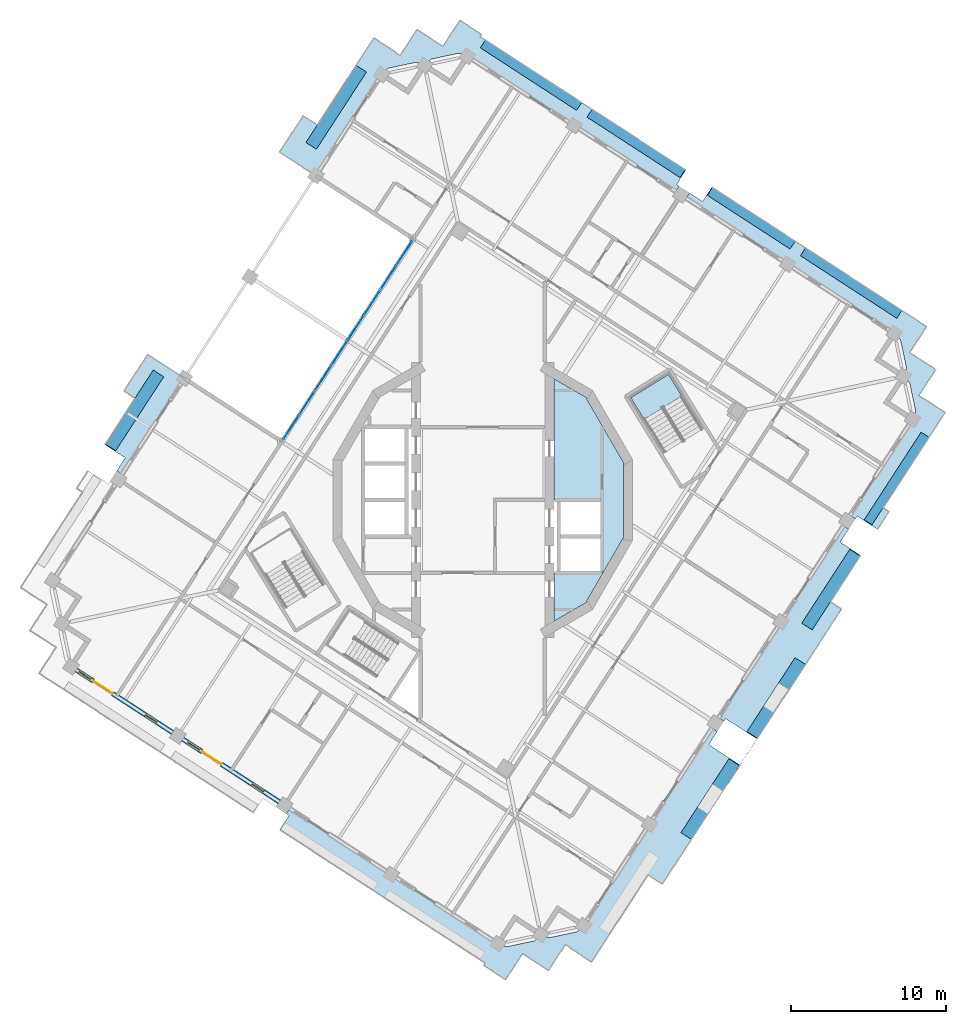
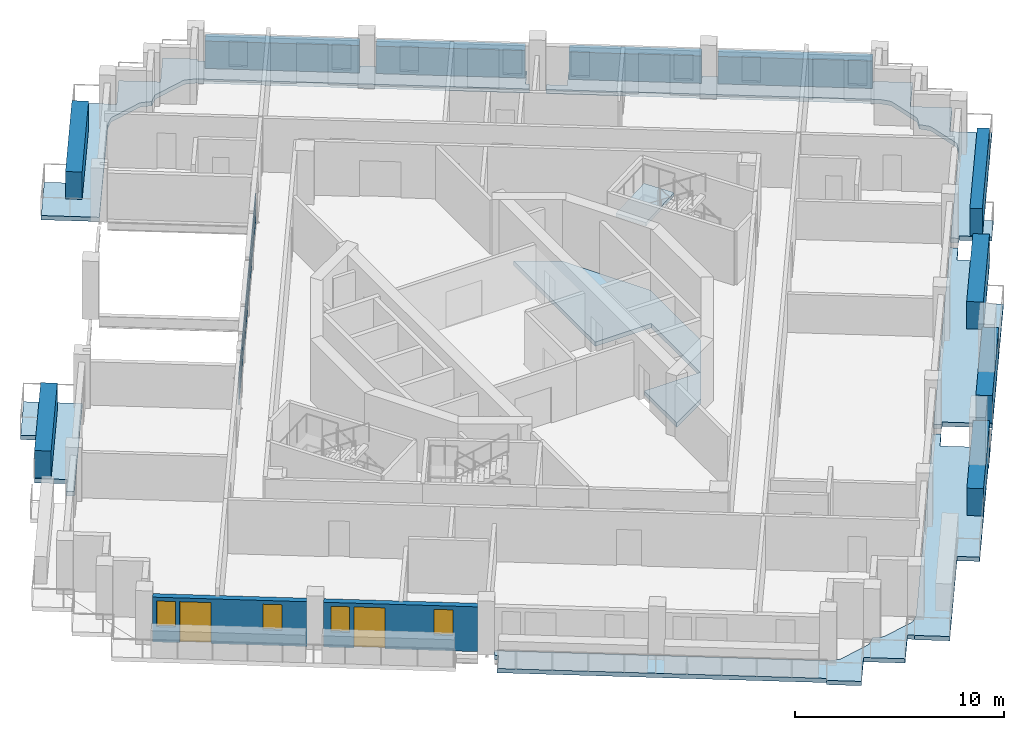
# One storey, part 4 of 17: 26 plates, 6 slabs, 4 windows, 2 doors, 2 walls, 6 openings, 2 elements without a shape of their own.
"""IFC4 building model written with IfcOpenShell, lengths in metres."""

from ifc_helpers import new_model, si_unit, direction, frame, frame_2d, origin, origin_2d, place, context, subcontext, project, spatial, polyline, rectangle, outline, extrude, material, layer, layer_set, type_object, element, fill, aggregate, save


model = new_model("IFC4")

# Units and contexts
model_context = context("Model", 3, precision=1e-05, world=origin(), true_north=direction((0.0, 1.0)))
body_context = subcontext(model_context, "Body", "Model", "MODEL_VIEW")
ifc_project = project(units=[si_unit("LENGTHUNIT", "METRE"), si_unit("AREAUNIT", "SQUARE_METRE"), si_unit("VOLUMEUNIT", "CUBIC_METRE"), si_unit("PLANEANGLEUNIT", "RADIAN"), si_unit("MASSUNIT", "GRAM", prefix="KILO")], contexts=[model_context])

# Site, building, storey
site_placement = place(None, origin())
site = spatial("IfcSite", under=ifc_project, at=site_placement, CompositionType="ELEMENT")
building_placement = place(site_placement, origin())
building = spatial("IfcBuilding", under=site, at=building_placement, Name="Cantera Rosa Tower", CompositionType="ELEMENT")
storey_placement = place(building_placement, frame((0.0, 0.0, 286.5)))
storey = spatial("IfcBuildingStorey", under=building, at=storey_placement, Name="L65", CompositionType="ELEMENT", Elevation=286.5)

# Slab
ifc_material_1 = material(Name="Concrete C35/45", Category="concrete")
ifc_layer_1 = layer(ifc_material_1, 0.25)
ifc_layer_set_1 = layer_set([ifc_layer_1], Name="COMPOSITE FLOOR SLAB 250 C35/45")
slab_type_1 = type_object("IfcSlabType", Name="COMPOSITE FLOOR SLAB 250 C35/45", PredefinedType="FLOOR", material=ifc_layer_set_1)
slab_1_placement = place(storey_placement, frame((0.0, 0.0, -0.25)))
element("IfcSlab", 1, at=slab_1_placement, inside=storey, type_object=slab_type_1, Name="SLAB L65 floor 3", PredefinedType="FLOOR", context=body_context, shape_type="SweptSolid", body=[
    extrude(outline(polyline([(7.699951171875, 0.0), (4.60009765625, 0.0), (4.60009765625, 7.804931640625), (6.6318359375, 6.6318359375), (9.059326171875, 2.427490234375), (9.059326171875, -2.427490234375), (6.6318359375, -6.6318359375), (4.60009765625, -7.804931640625), (4.60009765625, -4.699951171875), (7.699951171875, -4.699951171875), (7.699951171875, -2.35009765625), (7.699951171875, 0.0)])), origin(), (0.0, 0.0, 1.0), 0.25),
])

# Curtain wall, plates
ifc_material_2 = material(Name="Aluminium frame with clear glass", Category="aluminium")
curtain_wall_type = type_object("IfcCurtainWallType", Name="CW1 TERRACE POCKET GLAZING", PredefinedType="NOTDEFINED", material=ifc_material_2)
curtain_wall_placement = place(storey_placement, origin())
curtain_wall = element("IfcCurtainWall", 2, at=curtain_wall_placement, inside=storey, type_object=curtain_wall_type, Name="CW1 CW1", PredefinedType="NOTDEFINED")
ifc_material_3 = material(Name="Aluminium frame with clear glass", Category="aluminium")
ifc_layer_2 = layer(ifc_material_3, 0.028076171875)
ifc_layer_set_2 = layer_set([ifc_layer_2], Name="CW-PANEL POCKET")
plate_type_1 = type_object("IfcPlateType", Name="CW-PANEL POCKET", PredefinedType="CURTAIN_PANEL", material=ifc_layer_set_2)
plate_1_placement = place(storey_placement, frame((-5.060302734375, 15.893310546875, 0.06005859375), z_axis=(0.0, 0.0, 1.0), x_axis=(-0.544639034986, -0.838670567964, 0.0)))
plate_1 = element("IfcPlate", 3, at=plate_1_placement, type_object=plate_type_1, Name="CW1 panel 1.1", PredefinedType="CURTAIN_PANEL", context=body_context, shape_type="SweptSolid", body=[
    extrude(rectangle(XDim=1.82373046875, YDim=0.028076171875, at=origin_2d()), origin(), (0.0, 0.0, 1.0), 0.841064453125),
])
plate_2_placement = place(storey_placement, frame((-5.060302734375, 15.893310546875, 0.9609375), z_axis=(0.0, 0.0, 1.0), x_axis=(-0.544639034986, -0.838670567964, 0.0)))
plate_2 = element("IfcPlate", 4, at=plate_2_placement, type_object=plate_type_1, Name="CW1 panel 1.2", PredefinedType="CURTAIN_PANEL", context=body_context, shape_type="SweptSolid", body=[
    extrude(rectangle(XDim=1.82373046875, YDim=0.028076171875, at=origin_2d()), origin(), (0.0, 0.0, 1.0), 0.841064453125),
])
plate_3_placement = place(storey_placement, frame((-6.094482421875, 14.30078125, 0.06005859375), z_axis=(0.0, 0.0, 1.0), x_axis=(-0.544639034986, -0.838670567964, 0.0)))
plate_3 = element("IfcPlate", 5, at=plate_3_placement, type_object=plate_type_1, Name="CW1 panel 2.1", PredefinedType="CURTAIN_PANEL", context=body_context, shape_type="SweptSolid", body=[
    extrude(rectangle(XDim=1.853759765625, YDim=0.028076171875, at=origin_2d()), origin(), (0.0, 0.0, 1.0), 0.841064453125),
])
plate_4_placement = place(storey_placement, frame((-6.094482421875, 14.30078125, 0.9609375), z_axis=(0.0, 0.0, 1.0), x_axis=(-0.544639034986, -0.838670567964, 0.0)))
plate_4 = element("IfcPlate", 6, at=plate_4_placement, type_object=plate_type_1, Name="CW1 panel 2.2", PredefinedType="CURTAIN_PANEL", context=body_context, shape_type="SweptSolid", body=[
    extrude(rectangle(XDim=1.853759765625, YDim=0.028076171875, at=origin_2d()), origin(), (0.0, 0.0, 1.0), 0.841064453125),
])
plate_5_placement = place(storey_placement, frame((-7.13671875, 12.69580078125, 0.06005859375), z_axis=(0.0, 0.0, 1.0), x_axis=(-0.544639034986, -0.838670567964, 0.0)))
plate_5 = element("IfcPlate", 7, at=plate_5_placement, type_object=plate_type_1, Name="CW1 panel 3.1", PredefinedType="CURTAIN_PANEL", context=body_context, shape_type="SweptSolid", body=[
    extrude(rectangle(XDim=1.853759765625, YDim=0.028076171875, at=origin_2d()), origin(), (0.0, 0.0, 1.0), 0.841064453125),
])
plate_6_placement = place(storey_placement, frame((-7.13671875, 12.69580078125, 0.9609375), z_axis=(0.0, 0.0, 1.0), x_axis=(-0.544639034986, -0.838670567964, 0.0)))
plate_6 = element("IfcPlate", 8, at=plate_6_placement, type_object=plate_type_1, Name="CW1 panel 3.2", PredefinedType="CURTAIN_PANEL", context=body_context, shape_type="SweptSolid", body=[
    extrude(rectangle(XDim=1.853759765625, YDim=0.028076171875, at=origin_2d()), origin(), (0.0, 0.0, 1.0), 0.841064453125),
])
plate_7_placement = place(storey_placement, frame((-8.178955078125, 11.0908203125, 0.06005859375), z_axis=(0.0, 0.0, 1.0), x_axis=(-0.544639034986, -0.838670567964, 0.0)))
plate_7 = element("IfcPlate", 9, at=plate_7_placement, type_object=plate_type_1, Name="CW1 panel 4.1", PredefinedType="CURTAIN_PANEL", context=body_context, shape_type="SweptSolid", body=[
    extrude(rectangle(XDim=1.853759765625, YDim=0.028076171875, at=origin_2d()), origin(), (0.0, 0.0, 1.0), 0.841064453125),
])
plate_8_placement = place(storey_placement, frame((-8.178955078125, 11.0908203125, 0.9609375), z_axis=(0.0, 0.0, 1.0), x_axis=(-0.544639034986, -0.838670567964, 0.0)))
plate_8 = element("IfcPlate", 10, at=plate_8_placement, type_object=plate_type_1, Name="CW1 panel 4.2", PredefinedType="CURTAIN_PANEL", context=body_context, shape_type="SweptSolid", body=[
    extrude(rectangle(XDim=1.853759765625, YDim=0.028076171875, at=origin_2d()), origin(), (0.0, 0.0, 1.0), 0.841064453125),
])
plate_9_placement = place(storey_placement, frame((-9.221435546875, 9.48583984375, 0.06005859375), z_axis=(0.0, 0.0, 1.0), x_axis=(-0.544639034986, -0.838670567964, 0.0)))
plate_9 = element("IfcPlate", 11, at=plate_9_placement, type_object=plate_type_1, Name="CW1 panel 5.1", PredefinedType="CURTAIN_PANEL", context=body_context, shape_type="SweptSolid", body=[
    extrude(rectangle(XDim=1.853759765625, YDim=0.028076171875, at=origin_2d()), origin(), (0.0, 0.0, 1.0), 0.841064453125),
])
plate_10_placement = place(storey_placement, frame((-9.221435546875, 9.48583984375, 0.9609375), z_axis=(0.0, 0.0, 1.0), x_axis=(-0.544639034986, -0.838670567964, 0.0)))
plate_10 = element("IfcPlate", 12, at=plate_10_placement, type_object=plate_type_1, Name="CW1 panel 5.2", PredefinedType="CURTAIN_PANEL", context=body_context, shape_type="SweptSolid", body=[
    extrude(rectangle(XDim=1.853759765625, YDim=0.028076171875, at=origin_2d()), origin(), (0.0, 0.0, 1.0), 0.841064453125),
])
plate_11_placement = place(storey_placement, frame((-10.263671875, 7.880859375, 0.06005859375), z_axis=(0.0, 0.0, 1.0), x_axis=(-0.544639034986, -0.838670567964, 0.0)))
plate_11 = element("IfcPlate", 13, at=plate_11_placement, type_object=plate_type_1, Name="CW1 panel 6.1", PredefinedType="CURTAIN_PANEL", context=body_context, shape_type="SweptSolid", body=[
    extrude(rectangle(XDim=1.853759765625, YDim=0.028076171875, at=origin_2d()), origin(), (0.0, 0.0, 1.0), 0.841064453125),
])
plate_12_placement = place(storey_placement, frame((-10.263671875, 7.880859375, 0.9609375), z_axis=(0.0, 0.0, 1.0), x_axis=(-0.544639034986, -0.838670567964, 0.0)))
plate_12 = element("IfcPlate", 14, at=plate_12_placement, type_object=plate_type_1, Name="CW1 panel 6.2", PredefinedType="CURTAIN_PANEL", context=body_context, shape_type="SweptSolid", body=[
    extrude(rectangle(XDim=1.853759765625, YDim=0.028076171875, at=origin_2d()), origin(), (0.0, 0.0, 1.0), 0.841064453125),
])
plate_13_placement = place(storey_placement, frame((-11.305908203125, 6.27587890625, 0.06005859375), z_axis=(0.0, 0.0, 1.0), x_axis=(-0.544639034986, -0.838670567964, 0.0)))
plate_13 = element("IfcPlate", 15, at=plate_13_placement, type_object=plate_type_1, Name="CW1 panel 7.1", PredefinedType="CURTAIN_PANEL", context=body_context, shape_type="SweptSolid", body=[
    extrude(rectangle(XDim=1.853759765625, YDim=0.028076171875, at=origin_2d()), origin(), (0.0, 0.0, 1.0), 0.841064453125),
])
plate_14_placement = place(storey_placement, frame((-11.305908203125, 6.27587890625, 0.9609375), z_axis=(0.0, 0.0, 1.0), x_axis=(-0.544639034986, -0.838670567964, 0.0)))
plate_14 = element("IfcPlate", 16, at=plate_14_placement, type_object=plate_type_1, Name="CW1 panel 7.2", PredefinedType="CURTAIN_PANEL", context=body_context, shape_type="SweptSolid", body=[
    extrude(rectangle(XDim=1.853759765625, YDim=0.028076171875, at=origin_2d()), origin(), (0.0, 0.0, 1.0), 0.841064453125),
])
plate_15_placement = place(storey_placement, frame((-12.340087890625, 4.683349609375, 0.06005859375), z_axis=(0.0, 0.0, 1.0), x_axis=(-0.544639034986, -0.838670567964, 0.0)))
plate_15 = element("IfcPlate", 17, at=plate_15_placement, type_object=plate_type_1, Name="CW1 panel 8.1", PredefinedType="CURTAIN_PANEL", context=body_context, shape_type="SweptSolid", body=[
    extrude(rectangle(XDim=1.82373046875, YDim=0.028076171875, at=origin_2d()), origin(), (0.0, 0.0, 1.0), 0.841064453125),
])
plate_16_placement = place(storey_placement, frame((-12.340087890625, 4.683349609375, 0.9609375), z_axis=(0.0, 0.0, 1.0), x_axis=(-0.544639034986, -0.838670567964, 0.0)))
plate_16 = element("IfcPlate", 18, at=plate_16_placement, type_object=plate_type_1, Name="CW1 panel 8.2", PredefinedType="CURTAIN_PANEL", context=body_context, shape_type="SweptSolid", body=[
    extrude(rectangle(XDim=1.82373046875, YDim=0.028076171875, at=origin_2d()), origin(), (0.0, 0.0, 1.0), 0.841064453125),
])
aggregate(curtain_wall, [plate_1, plate_2, plate_3, plate_4, plate_5, plate_6, plate_7, plate_8, plate_9, plate_10, plate_11, plate_12, plate_13, plate_14, plate_15, plate_16])

# Slabs
ifc_material_4 = material(Name="Concrete C35/45", Category="concrete")
ifc_layer_3 = layer(ifc_material_4, 0.25)
ifc_layer_set_3 = layer_set([ifc_layer_3], Name="LOGGIA SLAB 250 C35/45")
slab_type_2 = type_object("IfcSlabType", Name="LOGGIA SLAB 250 C35/45", PredefinedType="FLOOR", material=ifc_layer_set_3)
slab_2_placement = place(storey_placement, frame((0.0, 0.0, -0.25)))
element("IfcSlab", 19, at=slab_2_placement, inside=storey, type_object=slab_type_2, Name="LOGGIA SLAB L65 2", PredefinedType="FLOOR", context=body_context, shape_type="SweptSolid", body=[
    extrude(outline(polyline([(-21.58544921875, 9.37939453125), (-19.2275390625, 7.84814453125), (-23.2470703125, 1.65869140625), (-23.58251953125, 1.876708984375), (-23.037841796875, 2.71533203125), (-24.34912109375, 3.56689453125), (-22.405517578125, 6.5595703125), (-23.11669921875, 7.021484375), (-21.58544921875, 9.37939453125)])), origin(), (0.0, 0.0, 1.0), 0.25),
])
slab_3_placement = place(storey_placement, frame((0.0, 0.0, -0.25)))
element("IfcSlab", 20, at=slab_3_placement, inside=storey, type_object=slab_type_2, Name="LOGGIA SLAB L65 3", PredefinedType="FLOOR", context=body_context, shape_type="SweptSolid", body=[
    extrude(outline(polyline([(-10.66064453125, 24.161376953125), (-7.015380859375, 29.7744140625), (-5.58984375, 28.848388671875), (-5.607666015625, 28.82080078125), (-5.32861328125, 28.639404296875), (-5.147216796875, 28.918701171875), (-4.2392578125, 30.31689453125), (-2.841064453125, 29.408935546875), (-2.561767578125, 29.2275390625), (-1.47265625, 30.90478515625), (-0.074462890625, 29.9970703125), (-0.16552734375, 29.85693359375), (5.45361328125, 26.207763671875), (7.9697265625, 24.573974609375), (12.330810546875, 21.74169921875), (13.08544921875, 21.251708984375), (12.486328125, 20.3291015625), (12.654296875, 20.22021484375), (12.436279296875, 19.884765625), (-0.106689453125, 28.030029296875), (-0.982421875, 28.598876953125), (-1.424560546875, 28.760009765625), (-1.452392578125, 28.76953125), (-1.481201171875, 28.7763671875), (-1.51025390625, 28.7802734375), (-1.539794921875, 28.78125), (-1.569091796875, 28.779296875), (-1.59814453125, 28.774658203125), (-3.258056640625, 28.421875), (-3.28662109375, 28.414306640625), (-3.314208984375, 28.404052734375), (-3.340576171875, 28.39111328125), (-3.365478515625, 28.375732421875), (-3.388916015625, 28.35791015625), (-3.41064453125, 28.337890625), (-3.7490234375, 28.0107421875), (-4.191162109375, 28.171875), (-4.218994140625, 28.181396484375), (-4.247802734375, 28.188232421875), (-4.27685546875, 28.192138671875), (-4.306396484375, 28.193115234375), (-4.335693359375, 28.19140625), (-4.36474609375, 28.186767578125), (-6.024658203125, 27.833740234375), (-6.05322265625, 27.826416015625), (-6.080810546875, 27.81591796875), (-6.107177734375, 27.802978515625), (-6.132080078125, 27.78759765625), (-6.15576171875, 27.769775390625), (-6.17724609375, 27.749755859375), (-6.515625, 27.4228515625), (-7.08447265625, 26.547119140625), (-10.7529296875, 20.89794921875), (-13.090576171875, 22.416015625), (-11.572509765625, 24.75341796875), (-10.66064453125, 24.161376953125)])), origin(), (0.0, 0.0, 1.0), 0.25),
])
slab_4_placement = place(storey_placement, frame((0.0, 0.0, -0.25)))
element("IfcSlab", 21, at=slab_4_placement, inside=storey, type_object=slab_type_2, Name="LOGGIA SLAB L65 4", PredefinedType="FLOOR", context=body_context, shape_type="SweptSolid", body=[
    extrude(outline(polyline([(5.58984375, -28.848388671875), (5.607666015625, -28.82080078125), (5.32861328125, -28.639404296875), (5.147216796875, -28.918701171875), (4.2392578125, -30.31689453125), (2.841064453125, -29.408935546875), (2.561767578125, -29.2275390625), (1.47265625, -30.90478515625), (0.074462890625, -29.9970703125), (0.16552734375, -29.85693359375), (-5.45361328125, -26.207763671875), (-7.9697265625, -24.573974609375), (-12.330810546875, -21.74169921875), (-13.08544921875, -21.251708984375), (-12.486328125, -20.3291015625), (-12.654296875, -20.22021484375), (-12.436279296875, -19.884765625), (0.106689453125, -28.030029296875), (0.982421875, -28.598876953125), (1.424560546875, -28.760009765625), (1.452392578125, -28.76953125), (1.481201171875, -28.7763671875), (1.51025390625, -28.7802734375), (1.539794921875, -28.78125), (1.569091796875, -28.779296875), (1.59814453125, -28.774658203125), (3.258056640625, -28.421875), (3.28662109375, -28.414306640625), (3.314208984375, -28.404052734375), (3.340576171875, -28.39111328125), (3.365478515625, -28.375732421875), (3.388916015625, -28.35791015625), (3.41064453125, -28.337890625), (3.7490234375, -28.0107421875), (4.191162109375, -28.171875), (4.218994140625, -28.181396484375), (4.247802734375, -28.188232421875), (4.27685546875, -28.192138671875), (4.306396484375, -28.193115234375), (4.335693359375, -28.19140625), (4.36474609375, -28.186767578125), (6.024658203125, -27.833740234375), (6.05322265625, -27.826416015625), (6.080810546875, -27.81591796875), (6.107177734375, -27.802978515625), (6.132080078125, -27.78759765625), (6.15576171875, -27.769775390625), (6.17724609375, -27.749755859375), (6.515625, -27.4228515625), (7.08447265625, -26.547119140625), (14.7724609375, -14.70849609375), (15.10791015625, -14.926513671875), (14.563232421875, -15.76513671875), (16.575927734375, -17.072265625), (17.665283203125, -15.39501953125), (15.652587890625, -14.087646484375), (15.543701171875, -14.255615234375), (15.2080078125, -14.03759765625), (23.2470703125, -1.65869140625), (23.58251953125, -1.876708984375), (23.037841796875, -2.71533203125), (24.34912109375, -3.56689453125), (22.405517578125, -6.5595703125), (23.11669921875, -7.021484375), (15.81689453125, -18.26220703125), (15.79638671875, -18.2490234375), (11.572509765625, -24.75341796875), (10.66064453125, -24.161376953125), (7.015380859375, -29.7744140625), (5.58984375, -28.848388671875)])), origin(), (0.0, 0.0, 1.0), 0.25),
])
slab_5_placement = place(storey_placement, frame((0.0, 0.0, -0.25)))
element("IfcSlab", 22, at=slab_5_placement, inside=storey, type_object=slab_type_2, Name="LOGGIA SLAB L65 5", PredefinedType="FLOOR", context=body_context, shape_type="SweptSolid", body=[
    extrude(outline(polyline([(21.723876953125, 15.641845703125), (27.343017578125, 11.992919921875), (28.600830078125, 11.17578125), (27.783935546875, 9.917724609375), (27.51171875, 9.49853515625), (27.930908203125, 9.22607421875), (29.18896484375, 8.4091796875), (28.3720703125, 7.151123046875), (28.099609375, 6.731689453125), (28.51904296875, 6.45947265625), (28.524658203125, 6.468017578125), (29.791015625, 5.6455078125), (25.80078125, -0.499267578125), (26.180908203125, -0.74609375), (25.438232421875, -1.889404296875), (24.127197265625, -1.0380859375), (24.01806640625, -1.205810546875), (23.6826171875, -0.98779296875), (27.13330078125, 4.32568359375), (27.7021484375, 5.201416015625), (27.863037109375, 5.643798828125), (27.872802734375, 5.67138671875), (27.87939453125, 5.7001953125), (27.88330078125, 5.729248046875), (27.884521484375, 5.7587890625), (27.882568359375, 5.7880859375), (27.8779296875, 5.817138671875), (27.525146484375, 7.477294921875), (27.517578125, 7.505615234375), (27.50732421875, 7.533203125), (27.494384765625, 7.559814453125), (27.47900390625, 7.584716796875), (27.461181640625, 7.608154296875), (27.44091796875, 7.629638671875), (27.114013671875, 7.968017578125), (27.275146484375, 8.410400390625), (27.28466796875, 8.43798828125), (27.29150390625, 8.466796875), (27.29541015625, 8.49609375), (27.29638671875, 8.525390625), (27.294677734375, 8.5546875), (27.289794921875, 8.583740234375), (26.93701171875, 10.243896484375), (26.929443359375, 10.272216796875), (26.919189453125, 10.2998046875), (26.90625, 10.326416015625), (26.890869140625, 10.351318359375), (26.873046875, 10.374755859375), (26.852783203125, 10.396240234375), (26.52587890625, 10.734619140625), (25.650146484375, 11.303466796875), (13.107421875, 19.448974609375), (13.3251953125, 19.784423828125), (14.163818359375, 19.23974609375), (14.762939453125, 20.162353515625), (14.8466796875, 20.10791015625), (19.207763671875, 17.275634765625), (21.723876953125, 15.641845703125)])), origin(), (0.0, 0.0, 1.0), 0.25),
])

# Plates
ifc_material_5 = material(Name="Cantera stone planter with soil", Category="masonry")
plate_type_2 = type_object("IfcPlateType", Name="PLANTER 600", PredefinedType="USERDEFINED", material=ifc_material_5)
plate_17_placement = place(storey_placement, frame((23.740966796875, 13.97412109375, 0.0), z_axis=(0.0, 0.0, 1.0), x_axis=(-0.838670567945, 0.544639035015, 0.0)))
element("IfcPlate", 23, at=plate_17_placement, inside=storey, type_object=plate_type_2, Name="PLANTER L65-01", ObjectType="PLANTER", PredefinedType="USERDEFINED", context=body_context, shape_type="SweptSolid", body=[
    extrude(rectangle(XDim=7.39990234375, YDim=0.60009765625, at=origin_2d()), origin(), (0.0, 0.0, 1.0), 1.60009765625),
])
plate_18_placement = place(storey_placement, frame((17.30419921875, 18.154296875, 0.0), z_axis=(0.0, 0.0, 1.0), x_axis=(-0.838670567945, 0.544639035015, 0.0)))
element("IfcPlate", 24, at=plate_18_placement, inside=storey, type_object=plate_type_2, Name="PLANTER L65-02", ObjectType="PLANTER", PredefinedType="USERDEFINED", context=body_context, shape_type="SweptSolid", body=[
    extrude(rectangle(XDim=6.35009765625, YDim=0.60009765625, at=origin_2d()), origin(), (0.0, 0.0, 1.0), 1.60009765625),
])
plate_19_placement = place(storey_placement, frame((9.882080078125, 22.974365234375, 0.0), z_axis=(0.0, 0.0, 1.0), x_axis=(-0.838670567945, 0.544639035015, 0.0)))
element("IfcPlate", 25, at=plate_19_placement, inside=storey, type_object=plate_type_2, Name="PLANTER L65-03", ObjectType="PLANTER", PredefinedType="USERDEFINED", context=body_context, shape_type="SweptSolid", body=[
    extrude(rectangle(XDim=7.14990234375, YDim=0.60009765625, at=origin_2d()), origin(), (0.0, 0.0, 1.0), 1.60009765625),
])
plate_20_placement = place(storey_placement, frame((3.109619140625, 27.372314453125, 0.0), z_axis=(0.0, 0.0, 1.0), x_axis=(-0.838670567945, 0.544639035015, 0.0)))
element("IfcPlate", 26, at=plate_20_placement, inside=storey, type_object=plate_type_2, Name="PLANTER L65-04", ObjectType="PLANTER", PredefinedType="USERDEFINED", context=body_context, shape_type="SweptSolid", body=[
    extrude(rectangle(XDim=7.39990234375, YDim=0.60009765625, at=origin_2d()), origin(), (0.0, 0.0, 1.0), 1.60009765625),
])
plate_21_placement = place(storey_placement, frame((26.66650390625, 1.384765625, 0.0), z_axis=(0.0, 0.0, 1.0), x_axis=(0.544639035015, 0.838670567945, 0.0)))
element("IfcPlate", 27, at=plate_21_placement, inside=storey, type_object=plate_type_2, Name="PLANTER L65-18", ObjectType="PLANTER", PredefinedType="USERDEFINED", context=body_context, shape_type="SweptSolid", body=[
    extrude(rectangle(XDim=6.72998046875, YDim=0.60009765625, at=origin_2d()), origin(), (0.0, 0.0, 1.0), 1.60009765625),
])
ifc_material_6 = material(Name="Cantera stone planter with soil", Category="masonry")
plate_type_3 = type_object("IfcPlateType", Name="PLANTER 800", PredefinedType="USERDEFINED", material=ifc_material_6)
plate_22_placement = place(storey_placement, frame((-9.438720703125, 25.30859375, 0.0), z_axis=(0.0, 0.0, 1.0), x_axis=(-0.544639035015, -0.838670567945, 0.0)))
element("IfcPlate", 28, at=plate_22_placement, inside=storey, type_object=plate_type_3, Name="PLANTER L65-05", ObjectType="PLANTER", PredefinedType="USERDEFINED", context=body_context, shape_type="SweptSolid", body=[
    extrude(rectangle(XDim=5.929931640625, YDim=0.800048828125, at=origin_2d()), origin(), (0.0, 0.0, 1.0), 1.60009765625),
])
for number, where, z_axis, x_axis, name in (
    (29, (-22.439453125, 5.772705078125, 0.0), (0.0, 0.0, 1.0), (-0.544639035015, -0.838670567945, 0.0), "PLANTER L65-08"),
    (30, (14.65576171875, -19.271240234375, 0.0), (0.0, 0.0, 1.0), (0.544639035015, 0.838670567945, 0.0), "PLANTER L65-15"),
    (31, (18.91357421875, -12.759521484375, 0.0), (0.0, 0.0, 1.0), (0.544639035015, 0.838670567945, 0.0), "PLANTER L65-16"),
    (32, (22.439453125, -5.772705078125, 0.0), (0.0, 0.0, 1.0), (0.544639035015, 0.838670567945, 0.0), "PLANTER L65-17"),
):
    element("IfcPlate", number, at=place(storey_placement, frame(where, z_axis=z_axis, x_axis=x_axis)), inside=storey, type_object=plate_type_3, Name=name, ObjectType="PLANTER", PredefinedType="USERDEFINED", context=body_context, shape_type="SweptSolid", body=[
        extrude(rectangle(XDim=5.679931640625, YDim=0.800048828125, at=origin_2d()), origin(), (0.0, 0.0, 1.0), 1.60009765625),
    ])

# Stair, slab
ifc_material_7 = material(Name="Concrete C35/45", Category="concrete")
stair_type = type_object("IfcStairType", Name="EXIT STAIR 1350 DOGLEG", PredefinedType="HALF_TURN_STAIR", material=ifc_material_7)
stair_placement = place(storey_placement, origin())
stair = element("IfcStair", 33, at=stair_placement, inside=storey, type_object=stair_type, Name="L65 ST-51", PredefinedType="HALF_TURN_STAIR")
ifc_material_8 = material(Name="Concrete C35/45", Category="concrete")
ifc_layer_4 = layer(ifc_material_8, 0.199951171875)
ifc_layer_set_4 = layer_set([ifc_layer_4], Name="STAIR LANDING 200")
slab_type_3 = type_object("IfcSlabType", Name="STAIR LANDING 200", PredefinedType="LANDING", material=ifc_layer_set_4)
slab_6_placement = place(storey_placement, frame((0.0, 0.0, 1.60009765625)))
slab_6 = element("IfcSlab", 34, at=slab_6_placement, type_object=slab_type_3, Name="ST-51 landing 1", PredefinedType="LANDING", context=body_context, shape_type="SweptSolid", body=[
    extrude(outline(polyline([(12.8310546875, 6.691162109375), (11.96923828125, 8.088623046875), (9.54345703125, 6.592529296875), (10.405517578125, 5.19482421875), (12.8310546875, 6.691162109375)])), origin(), (0.0, 0.0, 1.0), 0.199951171875),
])
aggregate(stair, [slab_6])

# Wall, openings, windows, door
ifc_material_9 = material(Name="Hollow clay masonry with cantera stone cladding", Category="masonry")
ifc_layer_5 = layer(ifc_material_9, 0.300048828125)
ifc_layer_set_5 = layer_set([ifc_layer_5], Name="EW-LOGGIA 300 H2620")
wall_type = type_object("IfcWallType", Name="EW-LOGGIA 300 H2620", PredefinedType="SOLIDWALL", material=ifc_layer_set_5)
wall_1_placement = place(storey_placement, frame((-26.1904296875, -10.95263671875, 0.0), z_axis=(0.0, 0.0, 1.0), x_axis=(0.838669679097, -0.544640403719, 0.0)))
wall_1 = element("IfcWall", 35, at=wall_1_placement, inside=storey, type_object=wall_type, Name="EN-L65-W14", PredefinedType="SOLIDWALL", context=body_context, shape_type="SweptSolid", body=[
    extrude(rectangle(XDim=7.39990234375, YDim=0.300048828125, at=frame_2d((3.699951171875, 0.0))), origin(), (0.0, 0.0, 1.0), 2.6201171875),
])
opening_1_placement = place(wall_1_placement, frame((0.199951171875, 0.0, 0.89990234375)))
opening_1 = element("IfcOpeningElement", 36, at=opening_1_placement, cuts=wall_1, Name="Opening L65-W22", PredefinedType="OPENING", context=body_context, shape_type="SweptSolid", body=[
    extrude(rectangle(XDim=0.89990234375, YDim=1.5, at=frame_2d((0.449951171875, 0.75))), frame((0.0, 0.159912109375, 0.0), z_axis=(0.0, -1.0, 0.0), x_axis=(1.0, 0.0, 0.0)), (0.0, 0.0, 1.0), 0.320068359375),
])
opening_2_placement = place(wall_1_placement, frame((1.300048828125, 0.0, 0.0)))
opening_2 = element("IfcOpeningElement", 37, at=opening_2_placement, cuts=wall_1, Name="Opening L65-TD23", PredefinedType="OPENING", context=body_context, shape_type="SweptSolid", body=[
    extrude(rectangle(XDim=1.5, YDim=2.39990234375, at=frame_2d((0.75, 1.199951171875))), frame((0.0, 0.159912109375, 0.0), z_axis=(0.0, -1.0, 0.0), x_axis=(1.0, 0.0, 0.0)), (0.0, 0.0, 1.0), 0.320068359375),
])
opening_3_placement = place(wall_1_placement, frame((5.300048828125, 0.0, 0.89990234375)))
opening_3 = element("IfcOpeningElement", 38, at=opening_3_placement, cuts=wall_1, Name="Opening L65-W24", PredefinedType="OPENING", context=body_context, shape_type="SweptSolid", body=[
    extrude(rectangle(XDim=0.89990234375, YDim=1.5, at=frame_2d((0.449951171875, 0.75))), frame((0.0, 0.159912109375, 0.0), z_axis=(0.0, -1.0, 0.0), x_axis=(1.0, 0.0, 0.0)), (0.0, 0.0, 1.0), 0.320068359375),
])
ifc_material_10 = material(Name="Aluminium frame with clear glass", Category="aluminium")
window_type = type_object("IfcWindowType", Name="Residential window 900x1500", PartitioningType="SINGLE_PANEL", PredefinedType="WINDOW", material=ifc_material_10)
window_1_placement = place(opening_1_placement, origin())
window_1 = element("IfcWindow", 39, at=window_1_placement, inside=storey, type_object=window_type, Name="WINDOW L65-W22", OverallHeight=1.5, OverallWidth=0.89990234375, PartitioningType="SINGLE_PANEL", PredefinedType="WINDOW", context=body_context, shape_type="SweptSolid", body=[
    extrude(rectangle(XDim=0.89990234375, YDim=1.5, at=frame_2d((0.449951171875, 0.75))), frame((0.0, 0.030029296875, 0.0), z_axis=(0.0, -1.0, 0.0), x_axis=(1.0, 0.0, 0.0)), (0.0, 0.0, 1.0), 0.06005859375),
])
fill(opening_1, window_1)
window_2_placement = place(opening_3_placement, origin())
window_2 = element("IfcWindow", 40, at=window_2_placement, inside=storey, type_object=window_type, Name="WINDOW L65-W24", OverallHeight=1.5, OverallWidth=0.89990234375, PartitioningType="SINGLE_PANEL", PredefinedType="WINDOW", context=body_context, shape_type="SweptSolid", body=[
    extrude(rectangle(XDim=0.89990234375, YDim=1.5, at=frame_2d((0.449951171875, 0.75))), frame((0.0, 0.030029296875, 0.0), z_axis=(0.0, -1.0, 0.0), x_axis=(1.0, 0.0, 0.0)), (0.0, 0.0, 1.0), 0.06005859375),
])
fill(opening_3, window_2)
ifc_material_11 = material(Name="Aluminium frame with clear glass", Category="aluminium")
door_type = type_object("IfcDoorType", Name="TD-R 1500x2400", OperationType="NOTDEFINED", PredefinedType="DOOR", material=ifc_material_11)
door_1_placement = place(opening_2_placement, origin())
door_1 = element("IfcDoor", 41, at=door_1_placement, inside=storey, type_object=door_type, Name="LOGGIA DOOR L65-TD23", OperationType="SLIDING_TO_LEFT", OverallHeight=2.39990234375, OverallWidth=1.5, PredefinedType="DOOR", context=body_context, shape_type="SweptSolid", body=[
    extrude(rectangle(XDim=1.5, YDim=2.39990234375, at=frame_2d((0.75, 1.199951171875))), frame((0.0, 0.02490234375, 0.0), z_axis=(0.0, -1.0, 0.0), x_axis=(1.0, 0.0, 0.0)), (0.0, 0.0, 1.0), 0.050048828125),
])
fill(opening_2, door_1)

wall_2_placement = place(storey_placement, frame((-19.3134765625, -15.418701171875, 0.0), z_axis=(0.0, 0.0, 1.0), x_axis=(0.838679465365, -0.544625333946, 0.0)))
wall_2 = element("IfcWall", 42, at=wall_2_placement, inside=storey, type_object=wall_type, Name="EN-L65-W15", PredefinedType="SOLIDWALL", context=body_context, shape_type="SweptSolid", body=[
    extrude(rectangle(XDim=7.400146484375, YDim=0.300048828125, at=frame_2d((3.7001953125, 0.0))), origin(), (0.0, 0.0, 1.0), 2.6201171875),
])
opening_4_placement = place(wall_2_placement, frame((0.35009765625, 0.0, 0.89990234375)))
opening_4 = element("IfcOpeningElement", 43, at=opening_4_placement, cuts=wall_2, Name="Opening L65-W25", PredefinedType="OPENING", context=body_context, shape_type="SweptSolid", body=[
    extrude(rectangle(XDim=0.89990234375, YDim=1.5, at=frame_2d((0.449951171875, 0.75))), frame((0.0, 0.159912109375, 0.0), z_axis=(0.0, -1.0, 0.0), x_axis=(1.0, 0.0, 0.0)), (0.0, 0.0, 1.0), 0.320068359375),
])
opening_5_placement = place(wall_2_placement, frame((1.449951171875, 0.0, 0.0)))
opening_5 = element("IfcOpeningElement", 44, at=opening_5_placement, cuts=wall_2, Name="Opening L65-TD26", PredefinedType="OPENING", context=body_context, shape_type="SweptSolid", body=[
    extrude(rectangle(XDim=1.5, YDim=2.39990234375, at=frame_2d((0.75, 1.199951171875))), frame((0.0, 0.159912109375, 0.0), z_axis=(0.0, -1.0, 0.0), x_axis=(1.0, 0.0, 0.0)), (0.0, 0.0, 1.0), 0.320068359375),
])
opening_6_placement = place(wall_2_placement, frame((5.300048828125, 0.0, 0.89990234375)))
opening_6 = element("IfcOpeningElement", 45, at=opening_6_placement, cuts=wall_2, Name="Opening L65-W27", PredefinedType="OPENING", context=body_context, shape_type="SweptSolid", body=[
    extrude(rectangle(XDim=0.89990234375, YDim=1.5, at=frame_2d((0.449951171875, 0.75))), frame((0.0, 0.159912109375, 0.0), z_axis=(0.0, -1.0, 0.0), x_axis=(1.0, 0.0, 0.0)), (0.0, 0.0, 1.0), 0.320068359375),
])
window_3_placement = place(opening_4_placement, origin())
window_3 = element("IfcWindow", 46, at=window_3_placement, inside=storey, type_object=window_type, Name="WINDOW L65-W25", OverallHeight=1.5, OverallWidth=0.89990234375, PartitioningType="SINGLE_PANEL", PredefinedType="WINDOW", context=body_context, shape_type="SweptSolid", body=[
    extrude(rectangle(XDim=0.89990234375, YDim=1.5, at=frame_2d((0.449951171875, 0.75))), frame((0.0, 0.030029296875, 0.0), z_axis=(0.0, -1.0, 0.0), x_axis=(1.0, 0.0, 0.0)), (0.0, 0.0, 1.0), 0.06005859375),
])
fill(opening_4, window_3)
window_4_placement = place(opening_6_placement, origin())
window_4 = element("IfcWindow", 47, at=window_4_placement, inside=storey, type_object=window_type, Name="WINDOW L65-W27", OverallHeight=1.5, OverallWidth=0.89990234375, PartitioningType="SINGLE_PANEL", PredefinedType="WINDOW", context=body_context, shape_type="SweptSolid", body=[
    extrude(rectangle(XDim=0.89990234375, YDim=1.5, at=frame_2d((0.449951171875, 0.75))), frame((0.0, 0.030029296875, 0.0), z_axis=(0.0, -1.0, 0.0), x_axis=(1.0, 0.0, 0.0)), (0.0, 0.0, 1.0), 0.06005859375),
])
fill(opening_6, window_4)
door_2_placement = place(opening_5_placement, origin())
door_2 = element("IfcDoor", 48, at=door_2_placement, inside=storey, type_object=door_type, Name="LOGGIA DOOR L65-TD26", OperationType="SLIDING_TO_LEFT", OverallHeight=2.39990234375, OverallWidth=1.5, PredefinedType="DOOR", context=body_context, shape_type="SweptSolid", body=[
    extrude(rectangle(XDim=1.5, YDim=2.39990234375, at=frame_2d((0.75, 1.199951171875))), frame((0.0, 0.02490234375, 0.0), z_axis=(0.0, -1.0, 0.0), x_axis=(1.0, 0.0, 0.0)), (0.0, 0.0, 1.0), 0.050048828125),
])
fill(opening_5, door_2)

save(model, "model.ifc")
